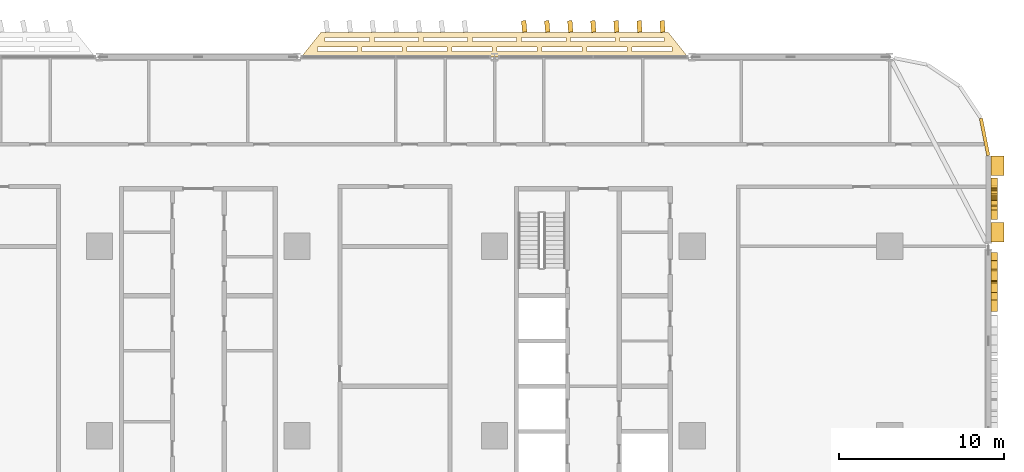
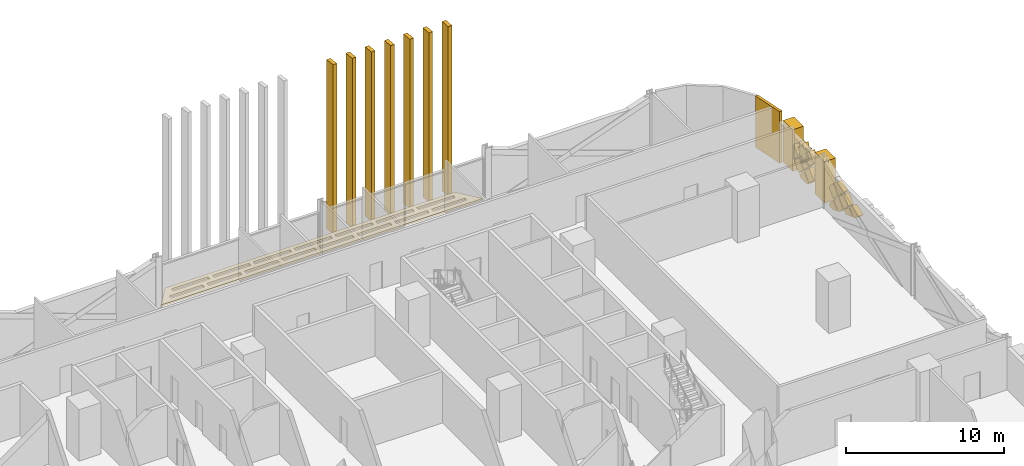
# One storey, part 29 of 29: 25 coverings.
"""IFC4 building model written with IfcOpenShell, lengths in metres."""

from ifc_helpers import new_model, si_unit, direction, frame, origin, origin_2d, place, context, subcontext, project, spatial, polyline, rectangle, outline, extrude, material, layer, layer_set, type_object, element, save


model = new_model("IFC4")

# Units and contexts
model_context = context("Model", 3, precision=1e-05, world=origin(), true_north=direction((0.0, 1.0)))
body_context = subcontext(model_context, "Body", "Model", "MODEL_VIEW")
ifc_project = project(units=[si_unit("LENGTHUNIT", "METRE"), si_unit("AREAUNIT", "SQUARE_METRE"), si_unit("VOLUMEUNIT", "CUBIC_METRE"), si_unit("PLANEANGLEUNIT", "RADIAN"), si_unit("MASSUNIT", "GRAM", prefix="KILO")], contexts=[model_context])

# Site, building, storey
site_placement = place(None, origin())
site = spatial("IfcSite", under=ifc_project, at=site_placement, CompositionType="ELEMENT")
building_placement = place(site_placement, origin())
building = spatial("IfcBuilding", under=site, at=building_placement, Name="Mahtab Terrace Research Tower", CompositionType="ELEMENT")
storey_placement = place(building_placement, frame((0.0, 0.0, 24.39990234375)))
storey = spatial("IfcBuildingStorey", under=building, at=storey_placement, Name="L05", CompositionType="ELEMENT", Elevation=24.39990234375)

# Coverings
ifc_material_1 = material(Name="Black aluminium cladding panel", Category="aluminium")
ifc_layer_1 = layer(ifc_material_1, 0.199951171875)
ifc_layer_set_1 = layer_set([ifc_layer_1], Name="Black metal corner cladding 200")
covering_type_1 = type_object("IfcCoveringType", Name="Black metal corner cladding 200", PredefinedType="CLADDING", material=ifc_layer_set_1)
covering_1_placement = place(storey_placement, frame((47.771484375, 18.14794921875, 0.0), z_axis=(0.0, 0.0, 1.0), x_axis=(-0.195212442692, 0.980760981187, 0.0)))
element("IfcCovering", 1, at=covering_1_placement, inside=storey, type_object=covering_type_1, Name="Corner cladding L05 37", PredefinedType="CLADDING", context=body_context, shape_type="SweptSolid", body=[
    extrude(rectangle(XDim=2.30126953125, YDim=0.199951171875, at=origin_2d()), origin(), (0.0, 0.0, 1.0), 3.9599609375),
])
ifc_material_2 = material(Name="Black anodised aluminium", Category="aluminium")
ifc_layer_2 = layer(ifc_material_2, 0.14990234375)
ifc_layer_set_2 = layer_set([ifc_layer_2], Name="Horizontal sunshade band")
covering_type_2 = type_object("IfcCoveringType", Name="Horizontal sunshade band", PredefinedType="CLADDING", material=ifc_layer_set_2)
covering_2_placement = place(storey_placement, frame((0.0, 0.0, -0.14990234375)))
element("IfcCovering", 2, at=covering_2_placement, inside=storey, type_object=covering_type_2, Name="Sunshade band L05 4", PredefinedType="CLADDING", context=body_context, shape_type="SweptSolid", body=[
    extrude(outline(polyline([(29.7509765625, 23.0), (6.2490234375, 23.0), (7.448974609375, 24.5), (28.551025390625, 24.5), (29.7509765625, 23.0)]), holes=[polyline([(28.77099609375, 23.35009765625), (26.341064453125, 23.35009765625), (26.341064453125, 23.60009765625), (28.77099609375, 23.60009765625), (28.77099609375, 23.35009765625)]), polyline([(26.041015625, 23.35009765625), (23.611083984375, 23.35009765625), (23.611083984375, 23.60009765625), (26.041015625, 23.60009765625), (26.041015625, 23.35009765625)]), polyline([(23.31103515625, 23.35009765625), (20.8798828125, 23.35009765625), (20.8798828125, 23.60009765625), (23.31103515625, 23.60009765625), (23.31103515625, 23.35009765625)]), polyline([(20.580078125, 23.35009765625), (18.14990234375, 23.35009765625), (18.14990234375, 23.60009765625), (20.580078125, 23.60009765625), (20.580078125, 23.35009765625)]), polyline([(17.85009765625, 23.35009765625), (15.419921875, 23.35009765625), (15.419921875, 23.60009765625), (17.85009765625, 23.60009765625), (17.85009765625, 23.35009765625)]), polyline([(15.1201171875, 23.35009765625), (12.68994140625, 23.35009765625), (12.68994140625, 23.60009765625), (15.1201171875, 23.60009765625), (15.1201171875, 23.35009765625)]), polyline([(12.389892578125, 23.35009765625), (9.958984375, 23.35009765625), (9.958984375, 23.60009765625), (12.389892578125, 23.60009765625), (12.389892578125, 23.35009765625)]), polyline([(9.658935546875, 23.35009765625), (7.22900390625, 23.35009765625), (7.22900390625, 23.60009765625), (9.658935546875, 23.60009765625), (9.658935546875, 23.35009765625)]), polyline([(28.291015625, 23.949951171875), (25.60791015625, 23.949951171875), (25.60791015625, 24.199951171875), (28.291015625, 24.199951171875), (28.291015625, 23.949951171875)]), polyline([(25.30810546875, 23.949951171875), (22.625, 23.949951171875), (22.625, 24.199951171875), (25.30810546875, 24.199951171875), (25.30810546875, 23.949951171875)]), polyline([(22.324951171875, 23.949951171875), (19.64208984375, 23.949951171875), (19.64208984375, 24.199951171875), (22.324951171875, 24.199951171875), (22.324951171875, 23.949951171875)]), polyline([(19.342041015625, 23.949951171875), (16.657958984375, 23.949951171875), (16.657958984375, 24.199951171875), (19.342041015625, 24.199951171875), (19.342041015625, 23.949951171875)]), polyline([(16.35791015625, 23.949951171875), (13.675048828125, 23.949951171875), (13.675048828125, 24.199951171875), (16.35791015625, 24.199951171875), (16.35791015625, 23.949951171875)]), polyline([(13.375, 23.949951171875), (10.69189453125, 23.949951171875), (10.69189453125, 24.199951171875), (13.375, 24.199951171875), (13.375, 23.949951171875)]), polyline([(10.39208984375, 23.949951171875), (7.708984375, 23.949951171875), (7.708984375, 24.199951171875), (10.39208984375, 24.199951171875), (10.39208984375, 23.949951171875)])]), origin(), (0.0, 0.0, 1.0), 0.14990234375),
])
ifc_material_3 = material(Name="Bronze anodised aluminium", Category="aluminium")
ifc_layer_3 = layer(ifc_material_3, 0.39990234375)
ifc_layer_set_3 = layer_set([ifc_layer_3], Name="Mashrabiya relief panel 400")
covering_type_3 = type_object("IfcCoveringType", Name="Mashrabiya relief panel 400", PredefinedType="CLADDING", material=ifc_layer_set_3)
covering_3_placement = place(storey_placement, frame((48.14990234375, 7.5419921875, 1.527099609375), z_axis=(-1.0, 0.0, 0.0), x_axis=(0.0, 0.936540541173, 0.350559288481)))
element("IfcCovering", 3, at=covering_3_placement, inside=storey, type_object=covering_type_3, Name="Mashrabiya lattice cell L05 E35.12", PredefinedType="CLADDING", context=body_context, shape_type="SweptSolid", body=[
    extrude(outline(polyline([(0.0, 0.0), (0.9011827075507265, -5.551115123125783e-17), (1.0435292276748973, 0.31266219006469476), (0.41560539492692705, 0.5987283725402599), (0.17868422475888357, 0.3924774627043254), (0.0, 0.0)])), origin(), (0.0, 0.0, -1.0), 0.39990234375),
])
covering_4_placement = place(storey_placement, frame((48.14990234375, 8.698974609375, 1.530029296875), z_axis=(-1.0, 0.0, 0.0), x_axis=(0.0, 0.707255598772, -0.706957932274)))
element("IfcCovering", 4, at=covering_4_placement, inside=storey, type_object=covering_type_3, Name="Mashrabiya lattice cell L05 E35.13", PredefinedType="CLADDING", context=body_context, shape_type="SweptSolid", body=[
    extrude(outline(polyline([(0.0, 0.0), (0.8201817362875763, 0.0), (0.8201245430420274, 0.2717251096029046), (-0.0003083493530673942, 0.6447860401357071), (0.0, 0.0)])), origin(), (0.0, 0.0, -1.0), 0.39990234375),
])
covering_5_placement = place(storey_placement, frame((48.14990234375, 9.34912109375, 2.18017578125), z_axis=(-1.0, 0.0, 0.0), x_axis=(0.0, 0.706957932274, -0.707255598772)))
element("IfcCovering", 5, at=covering_5_placement, inside=storey, type_object=covering_type_3, Name="Mashrabiya lattice cell L05 E35.14", PredefinedType="CLADDING", context=body_context, shape_type="SweptSolid", body=[
    extrude(outline(polyline([(0.0, 0.0), (0.8201817362875763, 0.0), (0.8205270032629295, 0.8201816636150915), (0.00017266982391900276, 0.8203543334390104), (0.0, 0.0)])), origin(), (0.0, 0.0, -1.0), 0.39990234375),
])
covering_6_placement = place(storey_placement, frame((48.14990234375, 9.4189453125, 0.9501953125), z_axis=(-1.0, 0.0, 0.0), x_axis=(0.0, 0.707255598772, 0.706957932274)))
element("IfcCovering", 6, at=covering_6_placement, inside=storey, type_object=covering_type_3, Name="Mashrabiya lattice cell L05 E35.15", PredefinedType="CLADDING", context=body_context, shape_type="SweptSolid", body=[
    extrude(outline(polyline([(0.0, 0.0), (0.8201817362875763, 0.0), (0.8205270032629295, 0.8201816636150915), (0.04816477939800251, 0.8203442319636213), (0.0001500686811417018, 0.7129763041041906), (0.0, 0.0)])), origin(), (0.0, 0.0, -1.0), 0.39990234375),
])
covering_7_placement = place(storey_placement, frame((48.14990234375, 10.5791015625, 2.25), z_axis=(-1.0, 0.0, 0.0), x_axis=(0.0, -0.707255598772, -0.706957932274)))
element("IfcCovering", 7, at=covering_7_placement, inside=storey, type_object=covering_type_3, Name="Mashrabiya lattice cell L05 E35.16", PredefinedType="CLADDING", context=body_context, shape_type="SweptSolid", body=[
    extrude(outline(polyline([(0.0, 0.0), (0.8201817362875763, 0.0), (0.8203499004174368, 0.798947780967117), (8.931448383686647e-05, 0.4243331127089831), (0.0, 0.0)])), origin(), (0.0, 0.0, -1.0), 0.39990234375),
])
covering_8_placement = place(storey_placement, frame((48.14990234375, 11.06396484375, 0.135009765625), z_axis=(-1.0, 0.0, 0.0), x_axis=(0.0, -1.0, 0.0)))
element("IfcCovering", 8, at=covering_8_placement, inside=storey, type_object=covering_type_3, Name="Mashrabiya lattice cell L05 E35.17", PredefinedType="CLADDING", context=body_context, shape_type="SweptSolid", body=[
    extrude(outline(polyline([(0.0, 0.0), (0.31005859375, 0.0), (0.928955078125, 0.231201171875), (0.4150390625, 0.7451171875), (-0.052001953125, 0.278076171875), (-0.052001953125, 0.052001953125), (0.0, 0.0)])), origin(), (0.0, 0.0, -1.0), 0.39990234375),
])
covering_9_placement = place(storey_placement, frame((48.14990234375, 10.64892578125, 1.02001953125), z_axis=(-1.0, 0.0, 0.0), x_axis=(0.0, -0.706957932274, 0.707255598772)))
element("IfcCovering", 9, at=covering_9_placement, inside=storey, type_object=covering_type_3, Name="Mashrabiya lattice cell L05 E35.18", PredefinedType="CLADDING", context=body_context, shape_type="SweptSolid", body=[
    extrude(outline(polyline([(0.0, 0.0), (0.8201817362875763, 0.0), (0.8205270032629295, 0.8201816636150915), (0.16003127941241302, 0.8203206860785415), (0.00013902246344993374, 0.6604957238505165), (0.0, 0.0)])), origin(), (0.0, 0.0, -1.0), 0.39990234375),
])
covering_10_placement = place(storey_placement, frame((48.14990234375, 14.64404296875, 2.60107421875), z_axis=(-1.0, 0.0, 0.0), x_axis=(0.0, 0.924691461768, 0.380717349925)))
element("IfcCovering", 10, at=covering_10_placement, inside=storey, type_object=covering_type_3, Name="Girih star panel L05 E36.1", PredefinedType="CLADDING", context=body_context, shape_type="SweptSolid", body=[
    extrude(outline(polyline([(0.0, 0.0), (0.3783462161056796, 2.7755575615628914e-17), (0.11208841562376498, 0.2689856047531158), (0.3794805037610448, 0.5359074361332754), (0.001665512373961231, 0.5371822494259442), (0.0014397576225531616, 0.9154355169598647), (-0.26722714380739543, 0.6490449102983011), (-0.5342419237593141, 0.9166627531869891), (-0.5354237884802239, 0.5386220070484974), (-0.9139957593373116, 0.5385290584767383), (-0.647605152675748, 0.2698621570467897), (-0.9149972408130278, 0.0029403256666300503), (-0.5371822494259442, 0.001665512373961231), (-0.537089300854185, -0.3769064584831264), (-0.26819664467282844, -0.11042290324980375), (-0.0011818647209096977, -0.37804074613849165), (0.0, 0.0)])), origin(), (0.0, 0.0, -1.0), 0.39990234375),
])
covering_11_placement = place(storey_placement, frame((48.14990234375, 13.698974609375, 1.530029296875), z_axis=(-1.0, 0.0, 0.0), x_axis=(0.0, 0.707255598772, -0.706957932274)))
element("IfcCovering", 11, at=covering_11_placement, inside=storey, type_object=covering_type_3, Name="Mashrabiya lattice cell L05 E36.2", PredefinedType="CLADDING", context=body_context, shape_type="SweptSolid", body=[
    extrude(outline(polyline([(0.0, 0.0), (0.8201817362875763, 0.0), (0.8200090664636573, 0.8203543334390104), (-0.0003452669753531423, 0.8201816636150915), (0.0, 0.0)])), origin(), (0.0, 0.0, -1.0), 0.39990234375),
])
covering_12_placement = place(storey_placement, frame((48.14990234375, 13.698974609375, 1.670166015625), z_axis=(-1.0, 0.0, 0.0), x_axis=(0.0, -0.707255598772, 0.706957932274)))
element("IfcCovering", 12, at=covering_12_placement, inside=storey, type_object=covering_type_3, Name="Mashrabiya lattice cell L05 E36.3", PredefinedType="CLADDING", context=body_context, shape_type="SweptSolid", body=[
    extrude(outline(polyline([(0.0, 0.0), (0.8201817362875763, 0.0), (0.8200090664636573, 0.8203543334390104), (0.5216983997585626, 0.8202915444121309), (0.3710026277454048, 0.7572485998705651), (0.468763471129829, 0.5183444192394093), (0.4594622651434062, 0.41856030120526805), (0.4050944531315875, 0.36278823876938104), (0.32810333323462826, 0.34654448496367085), (0.06274411528400894, 0.4488602943512907), (-6.278902687961718e-05, 0.2983106667050947), (0.0, 0.0)])), origin(), (0.0, 0.0, -1.0), 0.39990234375),
])
covering_13_placement = place(storey_placement, frame((48.14990234375, 13.76904296875, 0.300048828125), z_axis=(-1.0, 0.0, 0.0), x_axis=(0.0, 0.707106781187, 0.707106781187)))
element("IfcCovering", 13, at=covering_13_placement, inside=storey, type_object=covering_type_3, Name="Mashrabiya lattice cell L05 E36.4", PredefinedType="CLADDING", context=body_context, shape_type="SweptSolid", body=[
    extrude(outline(polyline([(0.0, 0.0), (0.8203543516109556, 0.0), (0.820181718119455, 0.820181718119455), (0.5867812376106141, 0.8201817181194551), (0.0, 0.2334004805088409), (0.0, 0.0)])), origin(), (0.0, 0.0, -1.0), 0.39990234375),
])
covering_14_placement = place(storey_placement, frame((48.14990234375, 14.928955078125, 1.60009765625), z_axis=(-1.0, 0.0, 0.0), x_axis=(0.0, -0.706957932274, -0.707255598772)))
element("IfcCovering", 14, at=covering_14_placement, inside=storey, type_object=covering_type_3, Name="Mashrabiya lattice cell L05 E36.5", PredefinedType="CLADDING", context=body_context, shape_type="SweptSolid", body=[
    extrude(outline(polyline([(0.0, 0.0), (0.8201817362875763, 0.0), (0.8200090664636573, 0.8203543334390104), (0.6674010633575788, 0.8203222122007225), (0.6765677525746102, 0.7390137653259107), (0.6382583068597403, 0.6668449008312943), (0.37104724865108085, 0.5452546770037502), (0.47226359601594403, 0.2928858110586709), (0.46796145758741753, 0.22780207779854778), (0.436208087417592, 0.1746242777255646), (0.3802821046588682, 0.14008580724771275), (0.3152001882108655, 0.13575627129241125), (0.06278873618968497, 0.23686637148447576), (-1.8168121203594734e-05, 0.08631674383827972), (0.0, 0.0)])), origin(), (0.0, 0.0, -1.0), 0.39990234375),
])
covering_15_placement = place(storey_placement, frame((48.14990234375, 14.9990234375, 1.530029296875), z_axis=(-1.0, 0.0, 0.0), x_axis=(0.0, 0.707255598772, -0.706957932274)))
element("IfcCovering", 15, at=covering_15_placement, inside=storey, type_object=covering_type_3, Name="Mashrabiya lattice cell L05 E36.6", PredefinedType="CLADDING", context=body_context, shape_type="SweptSolid", body=[
    extrude(outline(polyline([(0.0, 0.0), (0.8201817362875763, 0.0), (0.8200090664636573, 0.8203543334390104), (-0.0003452669753531423, 0.8201816636150915), (0.0, 0.0)])), origin(), (0.0, 0.0, -1.0), 0.39990234375),
])
covering_16_placement = place(storey_placement, frame((48.14990234375, 15.64892578125, 1.02001953125), z_axis=(-1.0, 0.0, 0.0), x_axis=(0.0, -0.706957932274, 0.707255598772)))
element("IfcCovering", 16, at=covering_16_placement, inside=storey, type_object=covering_type_3, Name="Mashrabiya lattice cell L05 E36.7", PredefinedType="CLADDING", context=body_context, shape_type="SweptSolid", body=[
    extrude(outline(polyline([(0.0, 0.0), (0.8201817362875763, 0.0), (0.8205270032629295, 0.8201816636150915), (0.7977393828896235, 0.8201864599990892), (4.796383997748149e-06, 0.022787620373305846), (0.0, 0.0)])), origin(), (0.0, 0.0, -1.0), 0.39990234375),
])
ifc_material_4 = material(Name="Glazed ceramic tile cladding", Category="masonry")
ifc_layer_4 = layer(ifc_material_4, 0.800048828125)
ifc_layer_set_4 = layer_set([ifc_layer_4], Name="Pishtaq frame pier 800")
covering_type_4 = type_object("IfcCoveringType", Name="Pishtaq frame pier 800", PredefinedType="CLADDING", material=ifc_layer_set_4)
for number, where, z_axis, x_axis, name in (
    (17, (48.550048828125, 12.34912109375, 0.00048828125), (0.0, 0.0, 1.0), (0.0, 1.0, 0.0), "Pishtaq frame pier 36a"),
    (18, (48.550048828125, 16.39990234375, 0.00048828125), (0.0, 0.0, 1.0), (0.0, 1.0, 0.0), "Pishtaq frame pier 36b"),
):
    element("IfcCovering", number, at=place(storey_placement, frame(where, z_axis=z_axis, x_axis=x_axis)), inside=storey, type_object=covering_type_4, Name=name, PredefinedType="CLADDING", context=body_context, shape_type="SweptSolid", body=[
        extrude(rectangle(XDim=1.199951171875, YDim=0.800048828125, at=origin_2d()), origin(), (0.0, 0.0, 1.0), 3.202880859375),
    ])
ifc_layer_5 = layer(ifc_material_3, 0.1201171875)
ifc_layer_set_5 = layer_set([ifc_layer_5], Name="Vertical fin 700")
covering_type_5 = type_object("IfcCoveringType", Name="Vertical fin 700", PredefinedType="CLADDING", material=ifc_layer_set_5)
for number, where, z_axis, x_axis, name in (
    (19, (28.199951171875, 24.857421875, -0.14990234375), (0.0, 0.0, 1.0), (-0.998356138179, -0.057315105867, 0.0), "Fin L05 N1"),
    (20, (26.800048828125, 24.858154296875, -0.14990234375), (0.0, 0.0, 1.0), (-0.998005798968, -0.063122303718, 0.0), "Fin L05 N2"),
    (21, (25.39990234375, 24.85888671875, -0.14990234375), (0.0, 0.0, 1.0), (-0.997621680969, -0.068927365114, 0.0), "Fin L05 N3"),
    (22, (24.0, 24.859375, -0.14990234375), (0.0, 0.0, 1.0), (-0.997203797181, -0.074730093591, 0.0), "Fin L05 N4"),
    (23, (22.60009765625, 24.860107421875, -0.14990234375), (0.0, 0.0, 1.0), (-0.996752161751, -0.080530292716, 0.0), "Fin L05 N5"),
    (24, (21.199951171875, 24.86083984375, -0.14990234375), (0.0, 0.0, 1.0), (-0.996266789964, -0.086327766189, 0.0), "Fin L05 N6"),
    (25, (19.800048828125, 24.861328125, -0.14990234375), (0.0, 0.0, 1.0), (-0.995747698246, -0.092122317805, 0.0), "Fin L05 N7"),
):
    element("IfcCovering", number, at=place(storey_placement, frame(where, z_axis=z_axis, x_axis=x_axis)), inside=storey, type_object=covering_type_5, Name=name, PredefinedType="CLADDING", context=body_context, shape_type="SweptSolid", body=[
        extrude(rectangle(XDim=0.280029296875, YDim=0.699951171875, at=origin_2d()), origin(), (0.0, 0.0, 1.0), 13.050048828125),
    ])

save(model, "model.ifc")
